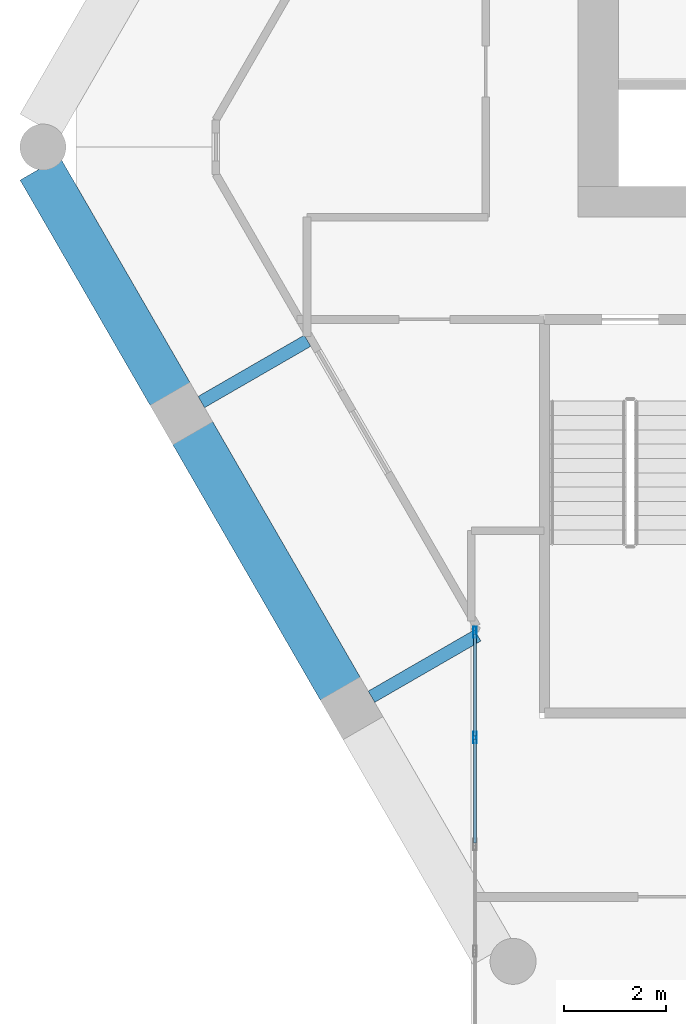
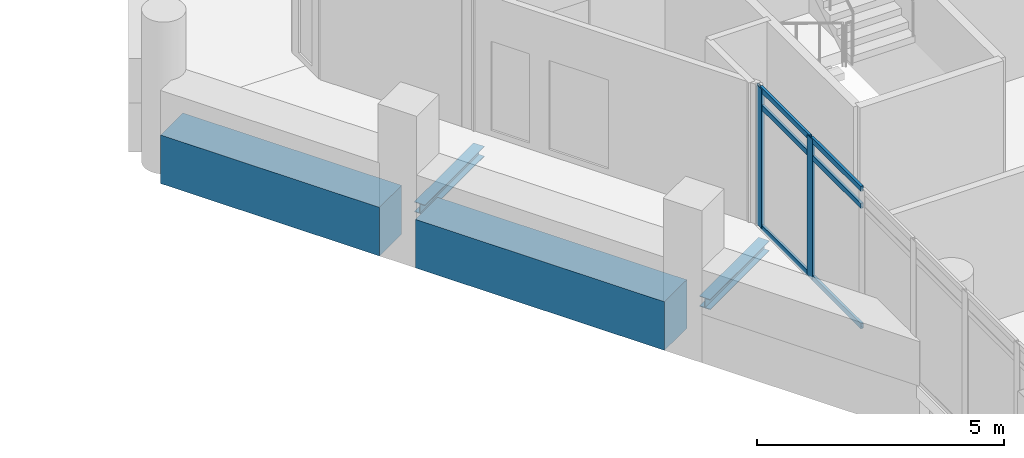
# One storey, part 9 of 25: 8 members, 4 beams, 1 element without a shape of its own.
"""IFC4 building model written with IfcOpenShell, lengths in metres."""

from ifc_helpers import new_model, si_unit, direction, frame, origin, origin_2d, place, context, subcontext, project, spatial, rectangle, hollow_rectangle, i_section, extrude, material, material_profile, profile_set, type_object, element, aggregate, save


model = new_model("IFC4")

# Units and contexts
model_context = context("Model", 3, precision=1e-05, world=origin(), true_north=direction((0.0, 1.0)))
body_context = subcontext(model_context, "Body", "Model", "MODEL_VIEW")
ifc_project = project(units=[si_unit("LENGTHUNIT", "METRE"), si_unit("AREAUNIT", "SQUARE_METRE"), si_unit("VOLUMEUNIT", "CUBIC_METRE"), si_unit("PLANEANGLEUNIT", "RADIAN"), si_unit("MASSUNIT", "GRAM", prefix="KILO")], contexts=[model_context])

# Site, building, storey
site_placement = place(None, origin())
site = spatial("IfcSite", under=ifc_project, at=site_placement, CompositionType="ELEMENT")
building_placement = place(site_placement, origin())
building = spatial("IfcBuilding", under=site, at=building_placement, Name="Ostrander Bayou Hotel Tower", CompositionType="ELEMENT")
storey_placement = place(building_placement, frame((0.0, 0.0, 229.5)))
storey = spatial("IfcBuildingStorey", under=building, at=storey_placement, Name="L57", CompositionType="ELEMENT", Elevation=229.5)

# Curtain wall, members
ifc_material_1 = material(Name="Aluminium and clear glass", Category="aluminium")
curtain_wall_type = type_object("IfcCurtainWallType", Name="CW-BAR glazed wall", PredefinedType="NOTDEFINED", material=ifc_material_1)
curtain_wall_placement = place(storey_placement, origin())
curtain_wall = element("IfcCurtainWall", 1, at=curtain_wall_placement, inside=storey, type_object=curtain_wall_type, Name="CW-BAR L57:SB5S:E", PredefinedType="NOTDEFINED")
ifc_material_2 = material(Name="Aluminium", Category="aluminium")
ifc_material_profile_1 = material_profile(ifc_material_2, hollow_rectangle(XDim=0.06005859375, YDim=0.219970703125, WallThickness=0.00390625, at=origin_2d()))
ifc_profile_set_1 = profile_set([ifc_material_profile_1], Name="Aluminium")
member_type_1 = type_object("IfcMemberType", Name="CW-BR mullion 60 x 220 mm", PredefinedType="MULLION", material=ifc_profile_set_1)
member_1_placement = place(storey_placement, frame((-10.51220703125, -9.822265625, 0.0), z_axis=(0.0, 0.0, 1.0), x_axis=(1.0, 0.0, 0.0)))
member_1 = element("IfcMember", 2, at=member_1_placement, type_object=member_type_1, Name="CW-BAR mullion 1", PredefinedType="MULLION", context=body_context, shape_type="SweptSolid", body=[
    extrude(hollow_rectangle(XDim=0.06005859375, YDim=0.219970703125, WallThickness=0.00390625, at=origin_2d()), origin(), (0.0, 0.0, 1.0), 3.449951171875),
])
member_2_placement = place(storey_placement, frame((-10.51220703125, -11.88232421875, 0.0), z_axis=(0.0, 0.0, 1.0), x_axis=(1.0, 0.0, 0.0)))
member_2 = element("IfcMember", 3, at=member_2_placement, type_object=member_type_1, Name="CW-BAR mullion 2", PredefinedType="MULLION", context=body_context, shape_type="SweptSolid", body=[
    extrude(hollow_rectangle(XDim=0.06005859375, YDim=0.219970703125, WallThickness=0.00390625, at=origin_2d()), origin(), (0.0, 0.0, 1.0), 3.449951171875),
])
ifc_material_3 = material(Name="Aluminium", Category="aluminium")
ifc_material_profile_2 = material_profile(ifc_material_3, hollow_rectangle(XDim=0.06005859375, YDim=0.1298828125, WallThickness=0.00390625, at=origin_2d()))
ifc_profile_set_2 = profile_set([ifc_material_profile_2], Name="Aluminium")
member_type_2 = type_object("IfcMemberType", Name="CW-BR transom 60 x 130 mm", PredefinedType="USERDEFINED", material=ifc_profile_set_2)
member_3_placement = place(storey_placement, frame((-10.51220703125, -9.852294921875, 0.030029296875), z_axis=(0.0, -1.0, 0.0), x_axis=(1.0, 0.0, 0.0)))
member_3 = element("IfcMember", 4, at=member_3_placement, type_object=member_type_2, Name="CW-BAR transom 1.1", ObjectType="TRANSOM", PredefinedType="USERDEFINED", context=body_context, shape_type="SweptSolid", body=[
    extrude(hollow_rectangle(XDim=0.06005859375, YDim=0.1298828125, WallThickness=0.00390625, at=origin_2d()), origin(), (0.0, 0.0, 1.0), 2.0),
])
member_4_placement = place(storey_placement, frame((-10.51220703125, -9.852294921875, 3.0), z_axis=(0.0, -1.0, 0.0), x_axis=(1.0, 0.0, 0.0)))
member_4 = element("IfcMember", 5, at=member_4_placement, type_object=member_type_2, Name="CW-BAR transom 1.2", ObjectType="TRANSOM", PredefinedType="USERDEFINED", context=body_context, shape_type="SweptSolid", body=[
    extrude(hollow_rectangle(XDim=0.06005859375, YDim=0.1298828125, WallThickness=0.00390625, at=origin_2d()), origin(), (0.0, 0.0, 1.0), 2.0),
])
member_5_placement = place(storey_placement, frame((-10.51220703125, -9.852294921875, 3.419921875), z_axis=(0.0, -1.0, 0.0), x_axis=(1.0, 0.0, 0.0)))
member_5 = element("IfcMember", 6, at=member_5_placement, type_object=member_type_2, Name="CW-BAR transom 1.3", ObjectType="TRANSOM", PredefinedType="USERDEFINED", context=body_context, shape_type="SweptSolid", body=[
    extrude(hollow_rectangle(XDim=0.06005859375, YDim=0.1298828125, WallThickness=0.00390625, at=origin_2d()), origin(), (0.0, 0.0, 1.0), 2.0),
])
member_6_placement = place(storey_placement, frame((-10.51220703125, -11.912353515625, 0.030029296875), z_axis=(0.0, -1.0, 0.0), x_axis=(1.0, 0.0, 0.0)))
member_6 = element("IfcMember", 7, at=member_6_placement, type_object=member_type_2, Name="CW-BAR transom 2.1", ObjectType="TRANSOM", PredefinedType="USERDEFINED", context=body_context, shape_type="SweptSolid", body=[
    extrude(hollow_rectangle(XDim=0.06005859375, YDim=0.1298828125, WallThickness=0.00390625, at=origin_2d()), origin(), (0.0, 0.0, 1.0), 2.030029296875),
])
member_7_placement = place(storey_placement, frame((-10.51220703125, -11.912353515625, 3.0), z_axis=(0.0, -1.0, 0.0), x_axis=(1.0, 0.0, 0.0)))
member_7 = element("IfcMember", 8, at=member_7_placement, type_object=member_type_2, Name="CW-BAR transom 2.2", ObjectType="TRANSOM", PredefinedType="USERDEFINED", context=body_context, shape_type="SweptSolid", body=[
    extrude(hollow_rectangle(XDim=0.06005859375, YDim=0.1298828125, WallThickness=0.00390625, at=origin_2d()), origin(), (0.0, 0.0, 1.0), 2.030029296875),
])
member_8_placement = place(storey_placement, frame((-10.51220703125, -11.912353515625, 3.419921875), z_axis=(0.0, -1.0, 0.0), x_axis=(1.0, 0.0, 0.0)))
member_8 = element("IfcMember", 9, at=member_8_placement, type_object=member_type_2, Name="CW-BAR transom 2.3", ObjectType="TRANSOM", PredefinedType="USERDEFINED", context=body_context, shape_type="SweptSolid", body=[
    extrude(hollow_rectangle(XDim=0.06005859375, YDim=0.1298828125, WallThickness=0.00390625, at=origin_2d()), origin(), (0.0, 0.0, 1.0), 2.030029296875),
])
aggregate(curtain_wall, [member_1, member_2, member_3, member_4, member_5, member_6, member_7, member_8])

# Beams
ifc_material_4 = material(Name="Steel ASTM A992", Category="steel")
ifc_material_profile_3 = material_profile(ifc_material_4, i_section(OverallWidth=0.25390625, OverallDepth=0.25341796875, WebThickness=0.008544921875, FlangeThickness=0.01416015625, at=origin_2d()))
ifc_profile_set_3 = profile_set([ifc_material_profile_3], Name="Steel ASTM A992")
beam_type_1 = type_object("IfcBeamType", Name="LB2 loggia bracket W10x49", PredefinedType="BEAM", material=ifc_profile_set_3)
for number, where, z_axis, x_axis, name in (
    (10, (-15.867431640625, -5.316650390625, -0.4267578125), (0.866024647952, 0.500001309137, 0.0), (-0.500001309137, 0.866024647952, 0.0), "LB2 L57 SW1"),
    (11, (-12.5380859375, -11.083251953125, -0.4267578125), (0.866024647952, 0.500001309137, 0.0), (-0.500001309137, 0.866024647952, 0.0), "LB2 L57 SW2"),
):
    element("IfcBeam", number, at=place(storey_placement, frame(where, z_axis=z_axis, x_axis=x_axis)), inside=storey, type_object=beam_type_1, Name=name, PredefinedType="BEAM", context=body_context, shape_type="SweptSolid", body=[
        extrude(i_section(OverallWidth=0.25390625, OverallDepth=0.25341796875, WebThickness=0.008544921875, FlangeThickness=0.01416015625, at=origin_2d()), origin(), (0.0, 0.0, 1.0), 2.39990234375),
    ])
ifc_material_5 = material(Name="Concrete f'c 60 MPa", Category="concrete")
ifc_material_profile_4 = material_profile(ifc_material_5, rectangle(XDim=0.89990234375, YDim=1.199951171875, at=origin_2d()))
ifc_profile_set_4 = profile_set([ifc_material_profile_4], Name="Concrete f'c 60 MPa")
beam_type_2 = type_object("IfcBeamType", Name="SP4 spandrel beam 900 x 1200 mm f'c 60 MPa", PredefinedType="SPANDREL", material=ifc_profile_set_4)
beam_1_placement = place(storey_placement, frame((-19.024169921875, -0.749267578125, -0.60009765625), z_axis=(0.499995206172, -0.866028171485, 0.0), x_axis=(0.866028171485, 0.499995206172, 0.0)))
element("IfcBeam", 12, at=beam_1_placement, inside=storey, type_object=beam_type_2, Name="SP4 L57 SW-1", PredefinedType="SPANDREL", context=body_context, shape_type="SweptSolid", body=[
    extrude(rectangle(XDim=0.89990234375, YDim=1.199951171875, at=origin_2d()), origin(), (0.0, 0.0, 1.0), 5.11376953125),
])
beam_2_placement = place(storey_placement, frame((-16.047119140625, -5.905517578125, -0.60009765625), z_axis=(0.500015433515, -0.866016493057, 0.0), x_axis=(0.866016493057, 0.500015433515, 0.0)))
element("IfcBeam", 13, at=beam_2_placement, inside=storey, type_object=beam_type_2, Name="SP4 L57 SW-2", PredefinedType="SPANDREL", context=body_context, shape_type="SweptSolid", body=[
    extrude(rectangle(XDim=0.89990234375, YDim=1.199951171875, at=origin_2d()), origin(), (0.0, 0.0, 1.0), 5.818603515625),
])

save(model, "model.ifc")
